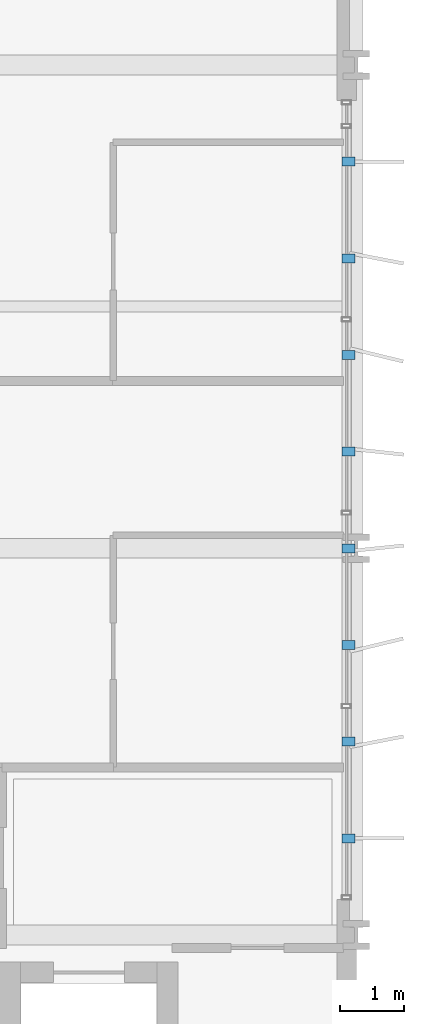
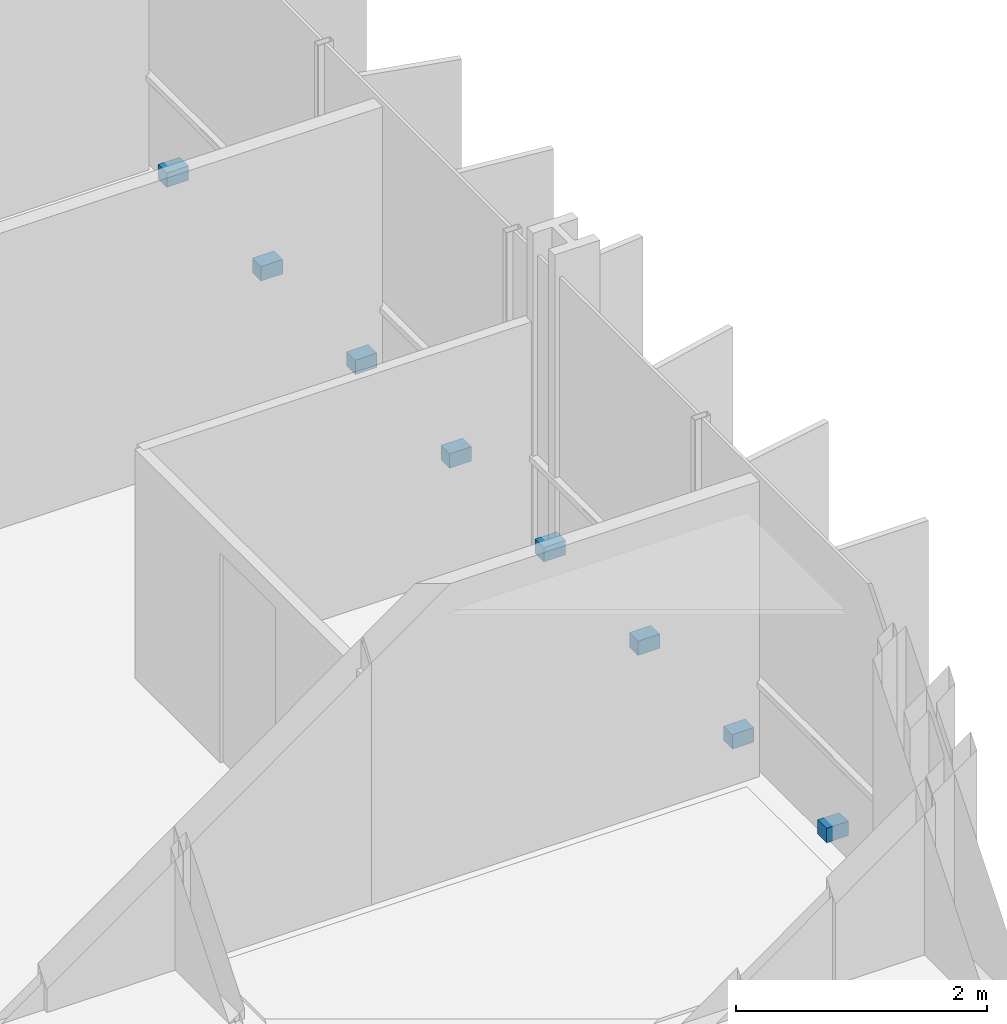
# One storey, part 35 of 39: 8 discrete accessories.
"""IFC4 building model written with IfcOpenShell, lengths in metres."""

from ifc_helpers import new_model, si_unit, direction, frame, origin, origin_2d, place, context, subcontext, project, spatial, rectangle, extrude, material, type_object, element, save


model = new_model("IFC4")

# Units and contexts
model_context = context("Model", 3, precision=1e-05, world=origin(), true_north=direction((0.0, 1.0)))
body_context = subcontext(model_context, "Body", "Model", "MODEL_VIEW")
ifc_project = project(units=[si_unit("LENGTHUNIT", "METRE"), si_unit("AREAUNIT", "SQUARE_METRE"), si_unit("VOLUMEUNIT", "CUBIC_METRE"), si_unit("PLANEANGLEUNIT", "RADIAN"), si_unit("MASSUNIT", "GRAM", prefix="KILO")], contexts=[model_context])

# Site, building, storey
site_placement = place(None, origin())
site = spatial("IfcSite", under=ifc_project, at=site_placement, CompositionType="ELEMENT")
building_placement = place(site_placement, origin())
building = spatial("IfcBuilding", under=site, at=building_placement, Name="Brevholm Reach", CompositionType="ELEMENT")
storey_placement = place(building_placement, frame((0.0, 0.0, 34.199951171875)))
storey = spatial("IfcBuildingStorey", under=building, at=storey_placement, Name="L08", CompositionType="ELEMENT", Elevation=34.199951171875)

# Discrete accessories
ifc_material = material(Name="Duplex Stainless Steel EN 1.4462", Category="steel")
discrete_accessory_type = type_object("IfcDiscreteAccessoryType", Name="ACC-BRK-01", PredefinedType="BRACKET", material=ifc_material)
for number, where, z_axis, x_axis, name in (
    (1, (59.8798828125, 11.5, 0.0302734375), (0.0, 0.0, 1.0), (1.0, 0.0, 0.0), "L08 Solar Screen Support Bracket 1"),
    (2, (59.8798828125, 13.0, 0.0302734375), (0.0, 0.0, 1.0), (1.0, 0.0, 0.0), "L08 Solar Screen Support Bracket 2"),
    (3, (59.8798828125, 14.5, 0.0302734375), (0.0, 0.0, 1.0), (1.0, 0.0, 0.0), "L08 Solar Screen Support Bracket 3"),
    (4, (59.8798828125, 16.0, 0.0302734375), (0.0, 0.0, 1.0), (1.0, 0.0, 0.0), "L08 Solar Screen Support Bracket 4"),
    (5, (59.8798828125, 17.5, 0.0302734375), (0.0, 0.0, 1.0), (1.0, 0.0, 0.0), "L08 Solar Screen Support Bracket 5"),
    (6, (59.8798828125, 19.0, 0.0302734375), (0.0, 0.0, 1.0), (1.0, 0.0, 0.0), "L08 Solar Screen Support Bracket 6"),
    (7, (59.8798828125, 20.5, 0.0302734375), (0.0, 0.0, 1.0), (1.0, 0.0, 0.0), "L08 Solar Screen Support Bracket 7"),
    (8, (59.8798828125, 22.0, 0.0302734375), (0.0, 0.0, 1.0), (1.0, 0.0, 0.0), "L08 Solar Screen Support Bracket 8"),
):
    element("IfcDiscreteAccessory", number, at=place(storey_placement, frame(where, z_axis=z_axis, x_axis=x_axis)), inside=storey, type_object=discrete_accessory_type, Name=name, PredefinedType="BRACKET", context=body_context, shape_type="SweptSolid", body=[
        extrude(rectangle(XDim=0.199951171875, YDim=0.139892578125, at=origin_2d()), origin(), (0.0, 0.0, 1.0), 0.139892578125),
    ])

save(model, "model.ifc")
